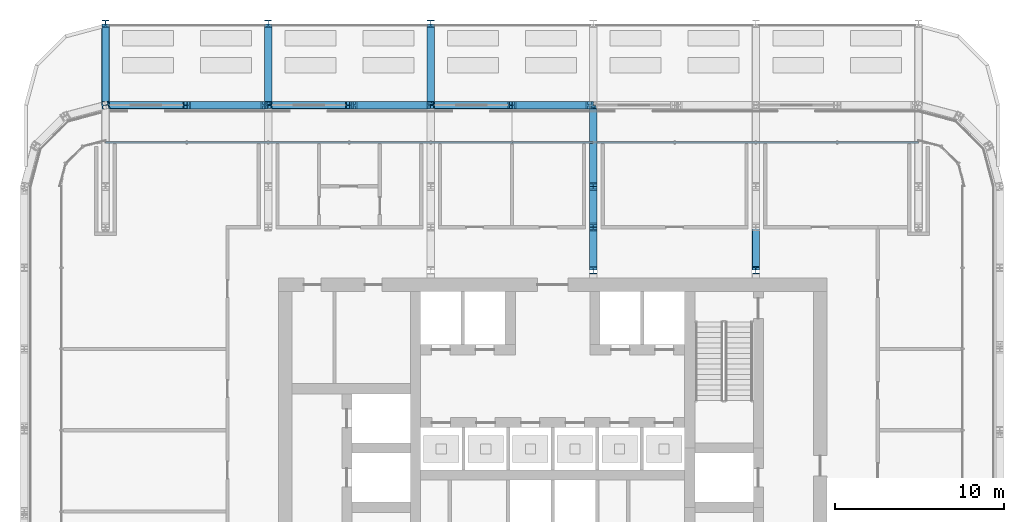
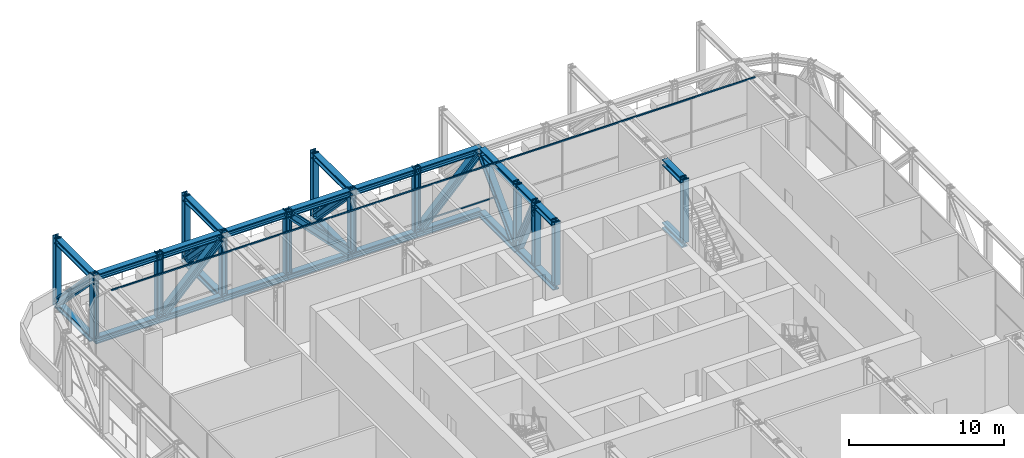
# One storey, part 11 of 27: 49 members, 1 element without a shape of its own.
"""IFC4 building model written with IfcOpenShell, lengths in metres."""

from ifc_helpers import new_model, si_unit, direction, frame, origin, origin_2d, place, context, subcontext, project, spatial, rectangle, i_section, extrude, material, layer, layer_set, material_profile, profile_set, type_object, element, aggregate, save


model = new_model("IFC4")

# Units and contexts
model_context = context("Model", 3, precision=1e-05, world=origin(), true_north=direction((0.0, 1.0)))
body_context = subcontext(model_context, "Body", "Model", "MODEL_VIEW")
ifc_project = project(units=[si_unit("LENGTHUNIT", "METRE"), si_unit("AREAUNIT", "SQUARE_METRE"), si_unit("VOLUMEUNIT", "CUBIC_METRE"), si_unit("PLANEANGLEUNIT", "RADIAN"), si_unit("MASSUNIT", "GRAM", prefix="KILO")], contexts=[model_context])

# Site, building, storey
site_placement = place(None, origin())
site = spatial("IfcSite", under=ifc_project, at=site_placement, CompositionType="ELEMENT")
building_placement = place(site_placement, origin())
building = spatial("IfcBuilding", under=site, at=building_placement, Name="Madar Terraces", CompositionType="ELEMENT")
storey_placement = place(building_placement, frame((0.0, 0.0, 143.60009765625)))
storey = spatial("IfcBuildingStorey", under=building, at=storey_placement, Name="L37", CompositionType="ELEMENT", Elevation=143.60009765625)

# Members
ifc_material_1 = material(Name="Steel ASTM A913 Grade 65", Category="steel")
ifc_material_profile_1 = material_profile(ifc_material_1, i_section(OverallWidth=0.431884765625, OverallDepth=0.497802734375, WebThickness=0.0556640625, FlangeThickness=0.0888671875, at=origin_2d()), Name="W14x500")
ifc_profile_set_1 = profile_set([ifc_material_profile_1], Name="Steel ASTM A913 Grade 65")
member_type_1 = type_object("IfcMemberType", Name="BC5 W14x500", PredefinedType="CHORD", material=ifc_profile_set_1)
for number, where, z_axis, x_axis, name in (
    (1, (33.60009765625, 48.0, -0.171142578125), (-1.0, 0.0, 0.0), (0.0, -1.0, 0.0), "Exoskeleton truss ring bottom chord BC5"),
    (2, (28.800048828125, 48.0, -0.171142578125), (-1.0, 0.0, 0.0), (0.0, -1.0, 0.0), "Exoskeleton truss ring bottom chord BC5"),
    (3, (24.0, 48.0, -0.171142578125), (-1.0, 0.0, 0.0), (0.0, -1.0, 0.0), "Exoskeleton truss ring bottom chord BC5"),
    (4, (19.199951171875, 48.0, -0.171142578125), (-1.0, 0.0, 0.0), (0.0, -1.0, 0.0), "Exoskeleton truss ring bottom chord BC5"),
):
    element("IfcMember", number, at=place(storey_placement, frame(where, z_axis=z_axis, x_axis=x_axis)), inside=storey, type_object=member_type_1, Name=name, PredefinedType="CHORD", context=body_context, shape_type="SweptSolid", body=[
        extrude(i_section(OverallWidth=0.431884765625, OverallDepth=0.497802734375, WebThickness=0.0556640625, FlangeThickness=0.0888671875, at=origin_2d()), origin(), (0.0, 0.0, 1.0), 4.800048828125),
    ])
member_1_placement = place(storey_placement, frame((14.39990234375, 48.0, -0.171142578125), z_axis=(-1.0, 0.0, 0.0), x_axis=(0.0, -1.0, 0.0)))
element("IfcMember", 5, at=member_1_placement, inside=storey, type_object=member_type_1, Name="Exoskeleton truss ring bottom chord BC5", PredefinedType="CHORD", context=body_context, shape_type="SweptSolid", body=[
    extrude(i_section(OverallWidth=0.431884765625, OverallDepth=0.497802734375, WebThickness=0.0556640625, FlangeThickness=0.0888671875, at=origin_2d()), origin(), (0.0, 0.0, 1.0), 4.7998046875),
])
member_2_placement = place(storey_placement, frame((9.60009765625, 48.0, -0.171142578125), z_axis=(-1.0, 0.0, 0.0), x_axis=(0.0, -1.0, 0.0)))
element("IfcMember", 6, at=member_2_placement, inside=storey, type_object=member_type_1, Name="Exoskeleton truss ring bottom chord BC5", PredefinedType="CHORD", context=body_context, shape_type="SweptSolid", body=[
    extrude(i_section(OverallWidth=0.431884765625, OverallDepth=0.497802734375, WebThickness=0.0556640625, FlangeThickness=0.0888671875, at=origin_2d()), origin(), (0.0, 0.0, 1.0), 4.800048828125),
])
for number, where, z_axis, x_axis, name in (
    (7, (4.800048828125, 52.800048828125, -0.171142578125), (0.0, -1.0, 0.0), (1.0, 0.0, 0.0), "Exoskeleton truss cross N4.8 bottom chord BC5"),
    (8, (14.39990234375, 52.800048828125, -0.171142578125), (0.0, -1.0, 0.0), (1.0, 0.0, 0.0), "Exoskeleton truss cross N14.4 bottom chord BC5"),
    (9, (24.0, 52.800048828125, -0.171142578125), (0.0, -1.0, 0.0), (1.0, 0.0, 0.0), "Exoskeleton truss cross N24 bottom chord BC5"),
    (10, (33.60009765625, 47.7841796875, -0.171142578125), (0.0, -1.0, 0.0), (1.0, 0.0, 0.0), "Exoskeleton truss cross N33.6 bottom chord BC5"),
):
    element("IfcMember", number, at=place(storey_placement, frame(where, z_axis=z_axis, x_axis=x_axis)), inside=storey, type_object=member_type_1, Name=name, PredefinedType="CHORD", context=body_context, shape_type="SweptSolid", body=[
        extrude(i_section(OverallWidth=0.431884765625, OverallDepth=0.497802734375, WebThickness=0.0556640625, FlangeThickness=0.0888671875, at=origin_2d()), origin(), (0.0, 0.0, 1.0), 4.584228515625),
    ])
member_3_placement = place(storey_placement, frame((33.60009765625, 43.199951171875, -0.171142578125), z_axis=(0.0, -1.0, 0.0), x_axis=(1.0, 0.0, 0.0)))
element("IfcMember", 11, at=member_3_placement, inside=storey, type_object=member_type_1, Name="Exoskeleton truss cross N33.6 bottom chord BC5", PredefinedType="CHORD", context=body_context, shape_type="SweptSolid", body=[
    extrude(i_section(OverallWidth=0.431884765625, OverallDepth=0.497802734375, WebThickness=0.0556640625, FlangeThickness=0.0888671875, at=origin_2d()), origin(), (0.0, 0.0, 1.0), 2.39990234375),
])
for number, where, z_axis, x_axis, name in (
    (12, (33.60009765625, 40.800048828125, -0.171142578125), (0.0, -1.0, 0.0), (1.0, 0.0, 0.0), "Exoskeleton truss cross N33.6 bottom chord BC5"),
    (13, (43.199951171875, 40.800048828125, -0.171142578125), (0.0, -1.0, 0.0), (1.0, 0.0, 0.0), "Exoskeleton truss cross N43.2 bottom chord BC5"),
):
    element("IfcMember", number, at=place(storey_placement, frame(where, z_axis=z_axis, x_axis=x_axis)), inside=storey, type_object=member_type_1, Name=name, PredefinedType="CHORD", context=body_context, shape_type="SweptSolid", body=[
        extrude(i_section(OverallWidth=0.431884765625, OverallDepth=0.497802734375, WebThickness=0.0556640625, FlangeThickness=0.0888671875, at=origin_2d()), origin(), (0.0, 0.0, 1.0), 2.550048828125),
    ])

# Curtain wall, members
ifc_material_2 = material(Name="Glass, ceramic frit dark grey, with black aluminium frame", Category="aluminium")
ifc_layer = layer(ifc_material_2, 0.199951171875)
ifc_layer_set = layer_set([ifc_layer], Name="Facade curtain wall, tall glazing")
curtain_wall_type = type_object("IfcCurtainWallType", Name="Facade curtain wall, tall glazing", PredefinedType="NOTDEFINED", material=ifc_layer_set)
curtain_wall_placement = place(storey_placement, origin())
curtain_wall = element("IfcCurtainWall", 14, at=curtain_wall_placement, inside=storey, type_object=curtain_wall_type, Name="Outer skin curtain wall north bay 1", PredefinedType="NOTDEFINED")
ifc_material_3 = material(Name="Aluminium, black anodised", Category="aluminium")
ifc_material_profile_2 = material_profile(ifc_material_3, rectangle(XDim=0.1201171875, YDim=0.06005859375, at=origin_2d()), Name="Facade transom 60x120")
ifc_profile_set_2 = profile_set([ifc_material_profile_2], Name="Aluminium, black anodised")
member_type_2 = type_object("IfcMemberType", Name="Facade transom 60x120", PredefinedType="USERDEFINED", material=ifc_profile_set_2)
member_4_placement = place(storey_placement, frame((52.800048828125, 45.800048828125, 5.06982421875), z_axis=(-1.0, 0.0, 0.0), x_axis=(0.0, -1.0, 0.0)))
member_4 = element("IfcMember", 15, at=member_4_placement, type_object=member_type_2, Name="Transom 1", ObjectType="TRANSOM", PredefinedType="USERDEFINED", context=body_context, shape_type="SweptSolid", body=[
    extrude(rectangle(XDim=0.1201171875, YDim=0.06005859375, at=origin_2d()), origin(), (0.0, 0.0, 1.0), 48.0),
])
member_5_placement = place(storey_placement, frame((33.570068359375, 45.800048828125, 2.39990234375), z_axis=(-1.0, 0.0, 0.0), x_axis=(0.0, -1.0, 0.0)))
member_5 = element("IfcMember", 16, at=member_5_placement, type_object=member_type_2, Name="Transom 6", ObjectType="TRANSOM", PredefinedType="USERDEFINED", context=body_context, shape_type="SweptSolid", body=[
    extrude(rectangle(XDim=0.1201171875, YDim=0.06005859375, at=origin_2d()), origin(), (0.0, 0.0, 1.0), 4.739990234375),
])
aggregate(curtain_wall, [member_4, member_5])

# Members
ifc_material_4 = material(Name="Steel ASTM A913 Grade 65", Category="steel")
ifc_material_profile_3 = material_profile(ifc_material_4, i_section(OverallWidth=0.424072265625, OverallDepth=0.47509765625, WebThickness=0.0478515625, FlangeThickness=0.0771484375, at=origin_2d()), Name="W14x426")
ifc_profile_set_3 = profile_set([ifc_material_profile_3], Name="Steel ASTM A913 Grade 65")
member_type_3 = type_object("IfcMemberType", Name="TC5 W14x426", PredefinedType="CHORD", material=ifc_profile_set_3)
for number, where, z_axis, x_axis, name in (
    (17, (33.60009765625, 48.0, 4.79248046875), (-1.0, 0.0, 0.0), (0.0, -1.0, 0.0), "Exoskeleton truss ring top chord TC5"),
    (18, (28.800048828125, 48.0, 4.79248046875), (-1.0, 0.0, 0.0), (0.0, -1.0, 0.0), "Exoskeleton truss ring top chord TC5"),
    (19, (24.0, 48.0, 4.79248046875), (-1.0, 0.0, 0.0), (0.0, -1.0, 0.0), "Exoskeleton truss ring top chord TC5"),
    (20, (19.199951171875, 48.0, 4.79248046875), (-1.0, 0.0, 0.0), (0.0, -1.0, 0.0), "Exoskeleton truss ring top chord TC5"),
):
    element("IfcMember", number, at=place(storey_placement, frame(where, z_axis=z_axis, x_axis=x_axis)), inside=storey, type_object=member_type_3, Name=name, PredefinedType="CHORD", context=body_context, shape_type="SweptSolid", body=[
        extrude(i_section(OverallWidth=0.424072265625, OverallDepth=0.47509765625, WebThickness=0.0478515625, FlangeThickness=0.0771484375, at=origin_2d()), origin(), (0.0, 0.0, 1.0), 4.800048828125),
    ])
member_6_placement = place(storey_placement, frame((14.39990234375, 48.0, 4.79248046875), z_axis=(-1.0, 0.0, 0.0), x_axis=(0.0, -1.0, 0.0)))
element("IfcMember", 21, at=member_6_placement, inside=storey, type_object=member_type_3, Name="Exoskeleton truss ring top chord TC5", PredefinedType="CHORD", context=body_context, shape_type="SweptSolid", body=[
    extrude(i_section(OverallWidth=0.424072265625, OverallDepth=0.47509765625, WebThickness=0.0478515625, FlangeThickness=0.0771484375, at=origin_2d()), origin(), (0.0, 0.0, 1.0), 4.7998046875),
])
member_7_placement = place(storey_placement, frame((9.60009765625, 48.0, 4.79248046875), z_axis=(-1.0, 0.0, 0.0), x_axis=(0.0, -1.0, 0.0)))
element("IfcMember", 22, at=member_7_placement, inside=storey, type_object=member_type_3, Name="Exoskeleton truss ring top chord TC5", PredefinedType="CHORD", context=body_context, shape_type="SweptSolid", body=[
    extrude(i_section(OverallWidth=0.424072265625, OverallDepth=0.47509765625, WebThickness=0.0478515625, FlangeThickness=0.0771484375, at=origin_2d()), origin(), (0.0, 0.0, 1.0), 4.800048828125),
])
for number, where, z_axis, x_axis, name in (
    (23, (4.800048828125, 52.800048828125, 4.79248046875), (0.0, -1.0, 0.0), (1.0, 0.0, 0.0), "Exoskeleton truss cross N4.8 top chord TC5"),
    (24, (14.39990234375, 52.800048828125, 4.79248046875), (0.0, -1.0, 0.0), (1.0, 0.0, 0.0), "Exoskeleton truss cross N14.4 top chord TC5"),
    (25, (24.0, 52.800048828125, 4.79248046875), (0.0, -1.0, 0.0), (1.0, 0.0, 0.0), "Exoskeleton truss cross N24 top chord TC5"),
    (26, (33.60009765625, 47.787841796875, 4.79248046875), (0.0, -1.0, 0.0), (1.0, 0.0, 0.0), "Exoskeleton truss cross N33.6 top chord TC5"),
):
    element("IfcMember", number, at=place(storey_placement, frame(where, z_axis=z_axis, x_axis=x_axis)), inside=storey, type_object=member_type_3, Name=name, PredefinedType="CHORD", context=body_context, shape_type="SweptSolid", body=[
        extrude(i_section(OverallWidth=0.424072265625, OverallDepth=0.47509765625, WebThickness=0.0478515625, FlangeThickness=0.0771484375, at=origin_2d()), origin(), (0.0, 0.0, 1.0), 4.587890625),
    ])
member_8_placement = place(storey_placement, frame((33.60009765625, 43.199951171875, 4.79248046875), z_axis=(0.0, -1.0, 0.0), x_axis=(1.0, 0.0, 0.0)))
element("IfcMember", 27, at=member_8_placement, inside=storey, type_object=member_type_3, Name="Exoskeleton truss cross N33.6 top chord TC5", PredefinedType="CHORD", context=body_context, shape_type="SweptSolid", body=[
    extrude(i_section(OverallWidth=0.424072265625, OverallDepth=0.47509765625, WebThickness=0.0478515625, FlangeThickness=0.0771484375, at=origin_2d()), origin(), (0.0, 0.0, 1.0), 2.39990234375),
])
for number, where, z_axis, x_axis, name in (
    (28, (33.60009765625, 40.800048828125, 4.79248046875), (0.0, -1.0, 0.0), (1.0, 0.0, 0.0), "Exoskeleton truss cross N33.6 top chord TC5"),
    (29, (43.199951171875, 40.800048828125, 4.79248046875), (0.0, -1.0, 0.0), (1.0, 0.0, 0.0), "Exoskeleton truss cross N43.2 top chord TC5"),
):
    element("IfcMember", number, at=place(storey_placement, frame(where, z_axis=z_axis, x_axis=x_axis)), inside=storey, type_object=member_type_3, Name=name, PredefinedType="CHORD", context=body_context, shape_type="SweptSolid", body=[
        extrude(i_section(OverallWidth=0.424072265625, OverallDepth=0.47509765625, WebThickness=0.0478515625, FlangeThickness=0.0771484375, at=origin_2d()), origin(), (0.0, 0.0, 1.0), 2.550048828125),
    ])
ifc_material_5 = material(Name="Steel ASTM A913 Grade 65", Category="steel")
ifc_material_profile_4 = material_profile(ifc_material_5, i_section(OverallWidth=0.45458984375, OverallDepth=0.56884765625, WebThickness=0.077880859375, FlangeThickness=0.124755859375, at=origin_2d()), Name="W14x730")
ifc_profile_set_4 = profile_set([ifc_material_profile_4], Name="Steel ASTM A913 Grade 65")
member_type_4 = type_object("IfcMemberType", Name="TD5 W14x730", PredefinedType="BRACE", material=ifc_profile_set_4)
for number, where, z_axis, x_axis, name in (
    (30, (33.370361328125, 48.0, 4.554931640625), (-0.695149746219, 0.0, -0.718864959733), (0.0, -1.0, 0.0), "Exoskeleton truss ring diagonal TD5"),
    (31, (23.75927734375, 48.0, 0.07763671875), (-0.695149746219, 0.0, 0.718864959733), (0.0, -1.0, 0.0), "Exoskeleton truss ring diagonal TD5"),
    (32, (14.17041015625, 48.0, 4.554931640625), (-0.695149746219, 0.0, -0.718864959733), (0.0, -1.0, 0.0), "Exoskeleton truss ring diagonal TD5"),
    (33, (4.800048828125, 52.559326171875, 0.07763671875), (0.0, -0.695149746219, 0.718864959733), (1.0, 0.0, 0.0), "Exoskeleton truss cross N4.8 diagonal TD5"),
    (34, (14.39990234375, 52.559326171875, 0.07763671875), (0.0, -0.695149746219, 0.718864959733), (1.0, 0.0, 0.0), "Exoskeleton truss cross N14.4 diagonal TD5"),
    (35, (24.0, 52.559326171875, 0.07763671875), (0.0, -0.695149746219, 0.718864959733), (1.0, 0.0, 0.0), "Exoskeleton truss cross N24 diagonal TD5"),
    (36, (33.60009765625, 47.770263671875, 4.554931640625), (0.0, -0.695149746219, -0.718864959733), (1.0, 0.0, 0.0), "Exoskeleton truss cross N33.6 diagonal TD5"),
):
    element("IfcMember", number, at=place(storey_placement, frame(where, z_axis=z_axis, x_axis=x_axis)), inside=storey, type_object=member_type_4, Name=name, PredefinedType="BRACE", context=body_context, shape_type="SweptSolid", body=[
        extrude(i_section(OverallWidth=0.45458984375, OverallDepth=0.56884765625, WebThickness=0.077880859375, FlangeThickness=0.124755859375, at=origin_2d()), origin(), (0.0, 0.0, 1.0), 6.228271484375),
    ])
member_9_placement = place(storey_placement, frame((33.60009765625, 43.07958984375, 0.07763671875), z_axis=(0.0, -0.435294010342, 0.900288356339), x_axis=(1.0, 0.0, 0.0)))
element("IfcMember", 37, at=member_9_placement, inside=storey, type_object=member_type_4, Name="Exoskeleton truss cross N33.6 diagonal TD5", PredefinedType="BRACE", context=body_context, shape_type="SweptSolid", body=[
    extrude(i_section(OverallWidth=0.45458984375, OverallDepth=0.56884765625, WebThickness=0.077880859375, FlangeThickness=0.124755859375, at=origin_2d()), origin(), (0.0, 0.0, 1.0), 4.97314453125),
])
ifc_material_6 = material(Name="Steel ASTM A913 Grade 65", Category="steel")
ifc_material_profile_5 = material_profile(ifc_material_6, i_section(OverallWidth=0.419189453125, OverallDepth=0.45458984375, WebThickness=0.042236328125, FlangeThickness=0.067626953125, at=origin_2d()), Name="W14x370")
ifc_profile_set_5 = profile_set([ifc_material_profile_5], Name="Steel ASTM A913 Grade 65")
member_type_5 = type_object("IfcMemberType", Name="TV5 W14x370", PredefinedType="POST", material=ifc_profile_set_5)
for number, where, z_axis, x_axis, name in (
    (38, (28.800048828125, 48.0, 0.07763671875), (0.0, 0.0, 1.0), (0.0, -1.0, 0.0), "Exoskeleton truss ring post TV5"),
    (39, (24.0, 48.0, 0.07763671875), (0.0, 0.0, 1.0), (0.0, -1.0, 0.0), "Exoskeleton truss ring post TV5"),
    (40, (19.199951171875, 48.0, 0.07763671875), (0.0, 0.0, 1.0), (0.0, -1.0, 0.0), "Exoskeleton truss ring post TV5"),
    (41, (14.39990234375, 48.0, 0.07763671875), (0.0, 0.0, 1.0), (0.0, -1.0, 0.0), "Exoskeleton truss ring post TV5"),
    (42, (9.60009765625, 48.0, 0.07763671875), (0.0, 0.0, 1.0), (0.0, -1.0, 0.0), "Exoskeleton truss ring post TV5"),
    (43, (4.800048828125, 48.0, 0.07763671875), (0.0, 0.0, 1.0), (0.130526174916, -0.991444863652, 0.0), "Exoskeleton truss ring post TV5"),
):
    element("IfcMember", number, at=place(storey_placement, frame(where, z_axis=z_axis, x_axis=x_axis)), inside=storey, type_object=member_type_5, Name=name, PredefinedType="POST", context=body_context, shape_type="SweptSolid", body=[
        extrude(i_section(OverallWidth=0.419189453125, OverallDepth=0.45458984375, WebThickness=0.042236328125, FlangeThickness=0.067626953125, at=origin_2d()), origin(), (0.0, 0.0, 1.0), 5.022216796875),
    ])
for number, where, z_axis, x_axis, name in (
    (44, (4.800048828125, 52.800048828125, -0.420166015625), (0.0, 0.0, 1.0), (-1.0, 0.0, 0.0), "Exoskeleton truss cross N4.8 post TV5"),
    (45, (14.39990234375, 52.800048828125, -0.420166015625), (0.0, 0.0, 1.0), (-1.0, 0.0, 0.0), "Exoskeleton truss cross N14.4 post TV5"),
    (46, (24.0, 52.800048828125, -0.420166015625), (0.0, 0.0, 1.0), (-1.0, 0.0, 0.0), "Exoskeleton truss cross N24 post TV5"),
):
    element("IfcMember", number, at=place(storey_placement, frame(where, z_axis=z_axis, x_axis=x_axis)), inside=storey, type_object=member_type_5, Name=name, PredefinedType="POST", context=body_context, shape_type="SweptSolid", body=[
        extrude(i_section(OverallWidth=0.419189453125, OverallDepth=0.45458984375, WebThickness=0.042236328125, FlangeThickness=0.067626953125, at=origin_2d()), origin(), (0.0, 0.0, 1.0), 5.52001953125),
    ])
for number, where, z_axis, x_axis, name in (
    (47, (33.60009765625, 43.199951171875, 0.07763671875), (0.0, 0.0, 1.0), (-1.0, 0.0, 0.0), "Exoskeleton truss cross N33.6 post TV5"),
    (48, (33.60009765625, 40.800048828125, 0.07763671875), (0.0, 0.0, 1.0), (-1.0, 0.0, 0.0), "Exoskeleton truss cross N33.6 post TV5"),
    (49, (33.60009765625, 38.25, 0.07763671875), (0.0, 0.0, 1.0), (-1.0, 0.0, 0.0), "Exoskeleton truss cross N33.6 post TV5"),
    (50, (43.199951171875, 38.25, 0.07763671875), (0.0, 0.0, 1.0), (-1.0, 0.0, 0.0), "Exoskeleton truss cross N43.2 post TV5"),
):
    element("IfcMember", number, at=place(storey_placement, frame(where, z_axis=z_axis, x_axis=x_axis)), inside=storey, type_object=member_type_5, Name=name, PredefinedType="POST", context=body_context, shape_type="SweptSolid", body=[
        extrude(i_section(OverallWidth=0.419189453125, OverallDepth=0.45458984375, WebThickness=0.042236328125, FlangeThickness=0.067626953125, at=origin_2d()), origin(), (0.0, 0.0, 1.0), 5.022216796875),
    ])

save(model, "model.ifc")
